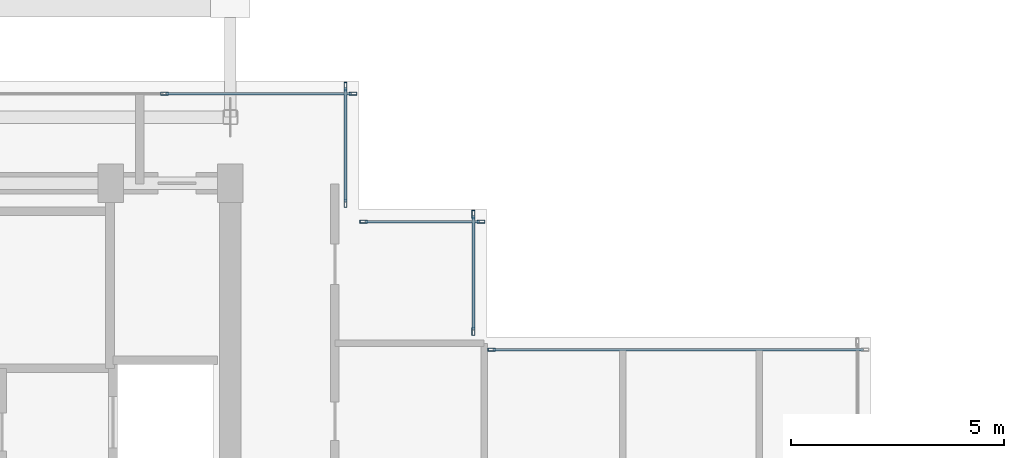
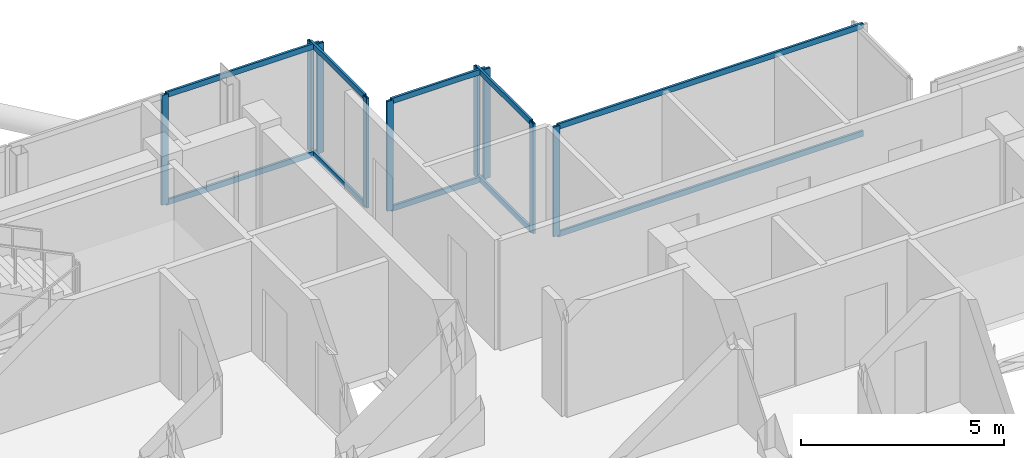
# One storey, part 11 of 19: 19 members, 5 elements without a shape of their own.
"""IFC4 building model written with IfcOpenShell, lengths in metres."""

from ifc_helpers import new_model, si_unit, direction, frame, origin, origin_2d, place, context, subcontext, project, spatial, hollow_rectangle, extrude, material, layer, layer_set, material_profile, profile_set, type_object, element, aggregate, save


model = new_model("IFC4")

# Units and contexts
model_context = context("Model", 3, precision=1e-05, world=origin(), true_north=direction((0.0, 1.0)))
body_context = subcontext(model_context, "Body", "Model", "MODEL_VIEW")
ifc_project = project(units=[si_unit("LENGTHUNIT", "METRE"), si_unit("AREAUNIT", "SQUARE_METRE"), si_unit("VOLUMEUNIT", "CUBIC_METRE"), si_unit("PLANEANGLEUNIT", "RADIAN"), si_unit("MASSUNIT", "GRAM", prefix="KILO"), si_unit("THERMODYNAMICTEMPERATUREUNIT", "KELVIN"), si_unit("POWERUNIT", "WATT")], contexts=[model_context])

# Site, building, storey
site_placement = place(None, origin())
site = spatial("IfcSite", under=ifc_project, at=site_placement, CompositionType="ELEMENT")
building_placement = place(site_placement, origin())
building = spatial("IfcBuilding", under=site, at=building_placement, Name="Svarakhadi Broadcast Tower", CompositionType="ELEMENT")
storey_placement = place(building_placement, frame((0.0, 0.0, 271.199951171875)))
storey = spatial("IfcBuildingStorey", under=building, at=storey_placement, Name="L68", CompositionType="ELEMENT", Elevation=271.199951171875)

# Curtain wall, members
ifc_material = material(Name="Anodised Bronze Aluminium AA 6063-T6", Category="aluminium")
ifc_layer = layer(ifc_material, 0.179931640625)
ifc_layer_set = layer_set([ifc_layer], Name="Anodised Bronze Aluminium AA 6063-T6")
curtain_wall_type = type_object("IfcCurtainWallType", Name="CW_Sys_05", PredefinedType="NOTDEFINED", material=ifc_layer_set)
curtain_wall_1_placement = place(storey_placement, origin())
curtain_wall_1 = element("IfcCurtainWall", 1, at=curtain_wall_1_placement, inside=storey, type_object=curtain_wall_type, Name="L68 Unitised Facade Curtain Wall 05", PredefinedType="NOTDEFINED")
ifc_material_profile_1 = material_profile(ifc_material, hollow_rectangle(XDim=0.070068359375, YDim=0.179931640625, WallThickness=0.005615234375, at=origin_2d()), Name="ALU MULLION 180x70x6")
ifc_profile_set_1 = profile_set([ifc_material_profile_1], Name="Anodised Bronze Aluminium AA 6063-T6")
member_type_1 = type_object("IfcMemberType", Name="CW_Sys_05_Mul", PredefinedType="MULLION", material=ifc_profile_set_1)
member_1_placement = place(storey_placement, frame((16.455078125, 29.699951171875, 0.0), z_axis=(0.0, 0.0, 1.0), x_axis=(0.0, 1.0, 0.0)))
member_1 = element("IfcMember", 2, at=member_1_placement, type_object=member_type_1, Name="CW-05 mullion 4", PredefinedType="MULLION", context=body_context, shape_type="SweptSolid", body=[
    extrude(hollow_rectangle(XDim=0.070068359375, YDim=0.179931640625, WallThickness=0.005615234375, at=origin_2d()), origin(), (0.0, 0.0, 1.0), 3.300048828125),
])
member_2_placement = place(storey_placement, frame((20.875, 29.699951171875, 0.0), z_axis=(0.0, 0.0, 1.0), x_axis=(0.0, 1.0, 0.0)))
member_2 = element("IfcMember", 3, at=member_2_placement, type_object=member_type_1, Name="CW-05 mullion 5", PredefinedType="MULLION", context=body_context, shape_type="SweptSolid", body=[
    extrude(hollow_rectangle(XDim=0.070068359375, YDim=0.179931640625, WallThickness=0.005615234375, at=origin_2d()), origin(), (0.0, 0.0, 1.0), 3.300048828125),
])

curtain_wall_2_placement = place(storey_placement, origin())
curtain_wall_2 = element("IfcCurtainWall", 4, at=curtain_wall_2_placement, inside=storey, type_object=curtain_wall_type, Name="L68 Unitised Facade Curtain Wall 06", PredefinedType="NOTDEFINED")
member_3_placement = place(storey_placement, frame((20.699951171875, 29.875, 0.0), z_axis=(0.0, 0.0, 1.0), x_axis=(1.0, 0.0, 0.0)))
member_3 = element("IfcMember", 5, at=member_3_placement, type_object=member_type_1, Name="CW-05 mullion 1", PredefinedType="MULLION", context=body_context, shape_type="SweptSolid", body=[
    extrude(hollow_rectangle(XDim=0.070068359375, YDim=0.179931640625, WallThickness=0.005615234375, at=origin_2d()), origin(), (0.0, 0.0, 1.0), 3.300048828125),
])
member_4_placement = place(storey_placement, frame((20.699951171875, 27.125, 0.0), z_axis=(0.0, 0.0, 1.0), x_axis=(1.0, 0.0, 0.0)))
member_4 = element("IfcMember", 6, at=member_4_placement, type_object=member_type_1, Name="CW-05 mullion 2", PredefinedType="MULLION", context=body_context, shape_type="SweptSolid", body=[
    extrude(hollow_rectangle(XDim=0.070068359375, YDim=0.179931640625, WallThickness=0.005615234375, at=origin_2d()), origin(), (0.0, 0.0, 1.0), 3.300048828125),
])

curtain_wall_3_placement = place(storey_placement, origin())
curtain_wall_3 = element("IfcCurtainWall", 7, at=curtain_wall_3_placement, inside=storey, type_object=curtain_wall_type, Name="L68 Unitised Facade Curtain Wall 07", PredefinedType="NOTDEFINED")
member_5_placement = place(storey_placement, frame((21.125, 26.699951171875, 0.0), z_axis=(0.0, 0.0, 1.0), x_axis=(0.0, 1.0, 0.0)))
member_5 = element("IfcMember", 8, at=member_5_placement, type_object=member_type_1, Name="CW-05 mullion 1", PredefinedType="MULLION", context=body_context, shape_type="SweptSolid", body=[
    extrude(hollow_rectangle(XDim=0.070068359375, YDim=0.179931640625, WallThickness=0.005615234375, at=origin_2d()), origin(), (0.0, 0.0, 1.0), 3.300048828125),
])
member_6_placement = place(storey_placement, frame((23.875, 26.699951171875, 0.0), z_axis=(0.0, 0.0, 1.0), x_axis=(0.0, 1.0, 0.0)))
member_6 = element("IfcMember", 9, at=member_6_placement, type_object=member_type_1, Name="CW-05 mullion 2", PredefinedType="MULLION", context=body_context, shape_type="SweptSolid", body=[
    extrude(hollow_rectangle(XDim=0.070068359375, YDim=0.179931640625, WallThickness=0.005615234375, at=origin_2d()), origin(), (0.0, 0.0, 1.0), 3.300048828125),
])

curtain_wall_4_placement = place(storey_placement, origin())
curtain_wall_4 = element("IfcCurtainWall", 10, at=curtain_wall_4_placement, inside=storey, type_object=curtain_wall_type, Name="L68 Unitised Facade Curtain Wall 08", PredefinedType="NOTDEFINED")
member_7_placement = place(storey_placement, frame((23.699951171875, 26.875, 0.0), z_axis=(0.0, 0.0, 1.0), x_axis=(1.0, 0.0, 0.0)))
member_7 = element("IfcMember", 11, at=member_7_placement, type_object=member_type_1, Name="CW-05 mullion 1", PredefinedType="MULLION", context=body_context, shape_type="SweptSolid", body=[
    extrude(hollow_rectangle(XDim=0.070068359375, YDim=0.179931640625, WallThickness=0.005615234375, at=origin_2d()), origin(), (0.0, 0.0, 1.0), 3.300048828125),
])
member_8_placement = place(storey_placement, frame((23.699951171875, 24.125, 0.0), z_axis=(0.0, 0.0, 1.0), x_axis=(1.0, 0.0, 0.0)))
member_8 = element("IfcMember", 12, at=member_8_placement, type_object=member_type_1, Name="CW-05 mullion 2", PredefinedType="MULLION", context=body_context, shape_type="SweptSolid", body=[
    extrude(hollow_rectangle(XDim=0.070068359375, YDim=0.179931640625, WallThickness=0.005615234375, at=origin_2d()), origin(), (0.0, 0.0, 1.0), 3.300048828125),
])

# Curtain wall, member
curtain_wall_5_placement = place(storey_placement, origin())
curtain_wall_5 = element("IfcCurtainWall", 13, at=curtain_wall_5_placement, inside=storey, type_object=curtain_wall_type, Name="L68 Unitised Facade Curtain Wall 09", PredefinedType="NOTDEFINED")
member_9_placement = place(storey_placement, frame((24.125, 23.699951171875, 0.0), z_axis=(0.0, 0.0, 1.0), x_axis=(0.0, 1.0, 0.0)))
member_9 = element("IfcMember", 14, at=member_9_placement, type_object=member_type_1, Name="CW-05 mullion 1", PredefinedType="MULLION", context=body_context, shape_type="SweptSolid", body=[
    extrude(hollow_rectangle(XDim=0.070068359375, YDim=0.179931640625, WallThickness=0.005615234375, at=origin_2d()), origin(), (0.0, 0.0, 1.0), 3.300048828125),
])

# Member
ifc_material_profile_2 = material_profile(ifc_material, hollow_rectangle(XDim=0.06494140625, YDim=0.1650390625, WallThickness=0.0048828125, at=origin_2d()), Name="ALU TRANSOM 165x65x5")
ifc_profile_set_2 = profile_set([ifc_material_profile_2], Name="Anodised Bronze Aluminium AA 6063-T6")
member_type_2 = type_object("IfcMemberType", Name="CW_Sys_05_Trn", PredefinedType="USERDEFINED", material=ifc_profile_set_2)
member_10_placement = place(storey_placement, frame((16.489990234375, 29.699951171875, 0.032470703125), z_axis=(1.0, 0.0, 0.0), x_axis=(0.0, 1.0, 0.0)))
member_10 = element("IfcMember", 15, at=member_10_placement, type_object=member_type_2, Name="CW-05 transom 4.1", ObjectType="TRANSOM", PredefinedType="USERDEFINED", context=body_context, shape_type="SweptSolid", body=[
    extrude(hollow_rectangle(XDim=0.06494140625, YDim=0.1650390625, WallThickness=0.0048828125, at=origin_2d()), origin(), (0.0, 0.0, 1.0), 4.35009765625),
])

member_11_placement = place(storey_placement, frame((16.489990234375, 29.699951171875, 3.267578125), z_axis=(1.0, 0.0, 0.0), x_axis=(0.0, 1.0, 0.0)))
member_11 = element("IfcMember", 16, at=member_11_placement, type_object=member_type_2, Name="CW-05 transom 4.2", ObjectType="TRANSOM", PredefinedType="USERDEFINED", context=body_context, shape_type="SweptSolid", body=[
    extrude(hollow_rectangle(XDim=0.06494140625, YDim=0.1650390625, WallThickness=0.0048828125, at=origin_2d()), origin(), (0.0, 0.0, 1.0), 4.35009765625),
])

aggregate(curtain_wall_1, [member_1, member_2, member_10, member_11])

member_12_placement = place(storey_placement, frame((20.699951171875, 29.840087890625, 0.032470703125), z_axis=(0.0, -1.0, 0.0), x_axis=(1.0, 0.0, 0.0)))
member_12 = element("IfcMember", 17, at=member_12_placement, type_object=member_type_2, Name="CW-05 transom 1.1", ObjectType="TRANSOM", PredefinedType="USERDEFINED", context=body_context, shape_type="SweptSolid", body=[
    extrude(hollow_rectangle(XDim=0.06494140625, YDim=0.1650390625, WallThickness=0.0048828125, at=origin_2d()), origin(), (0.0, 0.0, 1.0), 2.68017578125),
])

member_13_placement = place(storey_placement, frame((20.699951171875, 29.840087890625, 3.267578125), z_axis=(0.0, -1.0, 0.0), x_axis=(1.0, 0.0, 0.0)))
member_13 = element("IfcMember", 18, at=member_13_placement, type_object=member_type_2, Name="CW-05 transom 1.2", ObjectType="TRANSOM", PredefinedType="USERDEFINED", context=body_context, shape_type="SweptSolid", body=[
    extrude(hollow_rectangle(XDim=0.06494140625, YDim=0.1650390625, WallThickness=0.0048828125, at=origin_2d()), origin(), (0.0, 0.0, 1.0), 2.68017578125),
])

aggregate(curtain_wall_2, [member_3, member_4, member_12, member_13])

member_14_placement = place(storey_placement, frame((21.159912109375, 26.699951171875, 0.032470703125), z_axis=(1.0, 0.0, 0.0), x_axis=(0.0, 1.0, 0.0)))
member_14 = element("IfcMember", 19, at=member_14_placement, type_object=member_type_2, Name="CW-05 transom 1.1", ObjectType="TRANSOM", PredefinedType="USERDEFINED", context=body_context, shape_type="SweptSolid", body=[
    extrude(hollow_rectangle(XDim=0.06494140625, YDim=0.1650390625, WallThickness=0.0048828125, at=origin_2d()), origin(), (0.0, 0.0, 1.0), 2.68017578125),
])

member_15_placement = place(storey_placement, frame((21.159912109375, 26.699951171875, 3.267578125), z_axis=(1.0, 0.0, 0.0), x_axis=(0.0, 1.0, 0.0)))
member_15 = element("IfcMember", 20, at=member_15_placement, type_object=member_type_2, Name="CW-05 transom 1.2", ObjectType="TRANSOM", PredefinedType="USERDEFINED", context=body_context, shape_type="SweptSolid", body=[
    extrude(hollow_rectangle(XDim=0.06494140625, YDim=0.1650390625, WallThickness=0.0048828125, at=origin_2d()), origin(), (0.0, 0.0, 1.0), 2.68017578125),
])

aggregate(curtain_wall_3, [member_5, member_6, member_14, member_15])

member_16_placement = place(storey_placement, frame((23.699951171875, 26.840087890625, 0.032470703125), z_axis=(0.0, -1.0, 0.0), x_axis=(1.0, 0.0, 0.0)))
member_16 = element("IfcMember", 21, at=member_16_placement, type_object=member_type_2, Name="CW-05 transom 1.1", ObjectType="TRANSOM", PredefinedType="USERDEFINED", context=body_context, shape_type="SweptSolid", body=[
    extrude(hollow_rectangle(XDim=0.06494140625, YDim=0.1650390625, WallThickness=0.0048828125, at=origin_2d()), origin(), (0.0, 0.0, 1.0), 2.68017578125),
])

member_17_placement = place(storey_placement, frame((23.699951171875, 26.840087890625, 3.267578125), z_axis=(0.0, -1.0, 0.0), x_axis=(1.0, 0.0, 0.0)))
member_17 = element("IfcMember", 22, at=member_17_placement, type_object=member_type_2, Name="CW-05 transom 1.2", ObjectType="TRANSOM", PredefinedType="USERDEFINED", context=body_context, shape_type="SweptSolid", body=[
    extrude(hollow_rectangle(XDim=0.06494140625, YDim=0.1650390625, WallThickness=0.0048828125, at=origin_2d()), origin(), (0.0, 0.0, 1.0), 2.68017578125),
])

aggregate(curtain_wall_4, [member_7, member_8, member_16, member_17])

member_18_placement = place(storey_placement, frame((24.159912109375, 23.699951171875, 0.032470703125), z_axis=(1.0, 0.0, 0.0), x_axis=(0.0, 1.0, 0.0)))
member_18 = element("IfcMember", 23, at=member_18_placement, type_object=member_type_2, Name="CW-05 transom 1.1", ObjectType="TRANSOM", PredefinedType="USERDEFINED", context=body_context, shape_type="SweptSolid", body=[
    extrude(hollow_rectangle(XDim=0.06494140625, YDim=0.1650390625, WallThickness=0.0048828125, at=origin_2d()), origin(), (0.0, 0.0, 1.0), 8.68017578125),
])

member_19_placement = place(storey_placement, frame((24.159912109375, 23.699951171875, 3.267578125), z_axis=(1.0, 0.0, 0.0), x_axis=(0.0, 1.0, 0.0)))
member_19 = element("IfcMember", 24, at=member_19_placement, type_object=member_type_2, Name="CW-05 transom 1.2", ObjectType="TRANSOM", PredefinedType="USERDEFINED", context=body_context, shape_type="SweptSolid", body=[
    extrude(hollow_rectangle(XDim=0.06494140625, YDim=0.1650390625, WallThickness=0.0048828125, at=origin_2d()), origin(), (0.0, 0.0, 1.0), 8.68017578125),
])

aggregate(curtain_wall_5, [member_9, member_18, member_19])

save(model, "model.ifc")
